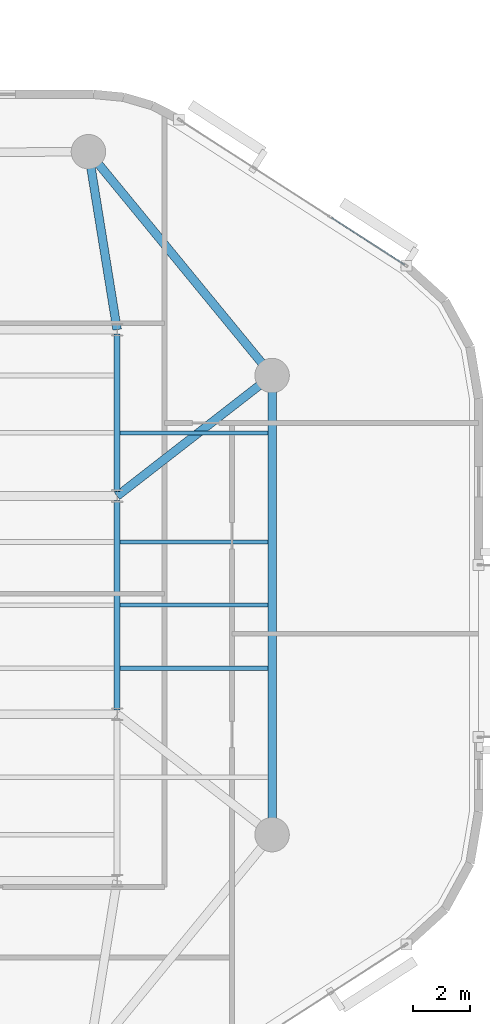
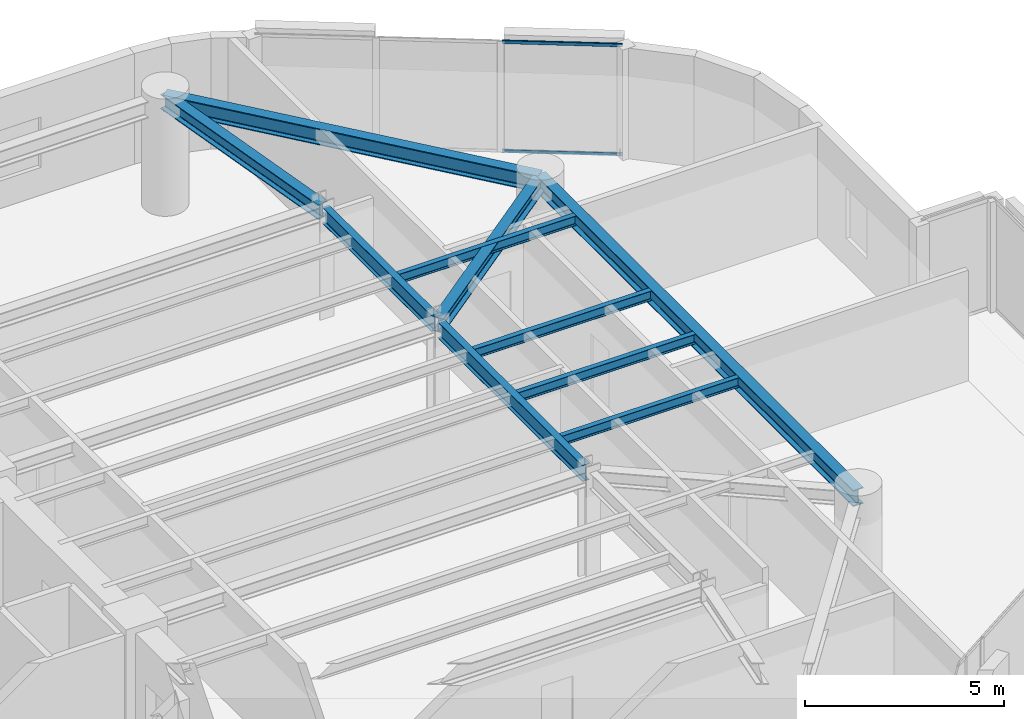
# One storey, part 5 of 16: 10 beams, 2 members, 1 element without a shape of its own.
"""IFC4 building model written with IfcOpenShell, lengths in metres."""

from ifc_helpers import new_model, si_unit, direction, frame, origin, origin_2d, place, context, subcontext, project, spatial, hollow_rectangle, i_section, extrude, material, layer, layer_set, material_profile, profile_set, type_object, element, aggregate, save


model = new_model("IFC4")

# Units and contexts
model_context = context("Model", 3, precision=1e-05, world=origin(), true_north=direction((0.0, 1.0)))
body_context = subcontext(model_context, "Body", "Model", "MODEL_VIEW")
ifc_project = project(units=[si_unit("LENGTHUNIT", "METRE"), si_unit("AREAUNIT", "SQUARE_METRE"), si_unit("VOLUMEUNIT", "CUBIC_METRE"), si_unit("PLANEANGLEUNIT", "RADIAN"), si_unit("MASSUNIT", "GRAM", prefix="KILO")], contexts=[model_context])

# Site, building, storey
site_placement = place(None, origin())
site = spatial("IfcSite", under=ifc_project, at=site_placement, CompositionType="ELEMENT")
building_placement = place(site_placement, origin())
building = spatial("IfcBuilding", under=site, at=building_placement, Name="An Khanh Terracotta Commons", CompositionType="ELEMENT")
storey_placement = place(building_placement, frame((0.0, 0.0, 172.60009765625)))
storey = spatial("IfcBuildingStorey", under=building, at=storey_placement, Name="L45", CompositionType="ELEMENT", Elevation=172.60009765625)

# Beams
ifc_material_1 = material(Name="Steel S355J2", Category="steel")
ifc_material_profile_1 = material_profile(ifc_material_1, i_section(OverallWidth=0.300048828125, OverallDepth=0.449951171875, WebThickness=0.013916015625, FlangeThickness=0.02587890625, FilletRadius=0.027099609375, at=origin_2d()), Name="HEB450")
ifc_profile_set_1 = profile_set([ifc_material_profile_1], Name="Steel S355J2")
beam_type_1 = type_object("IfcBeamType", Name="BM-HEB450", PredefinedType="BEAM", material=ifc_profile_set_1)
beam_1_placement = place(storey_placement, frame((55.800048828125, 32.0, 3.1748046875), z_axis=(-0.789363746927, -0.61392578952, 0.0), x_axis=(0.61392578952, -0.789363746927, 0.0)))
element("IfcBeam", 1, at=beam_1_placement, inside=storey, type_object=beam_type_1, Name="L45 Mega-Column Tie Girder 4", PredefinedType="BEAM", context=body_context, shape_type="SweptSolid", body=[
    extrude(i_section(OverallWidth=0.300048828125, OverallDepth=0.449951171875, WebThickness=0.013916015625, FlangeThickness=0.02587890625, FilletRadius=0.027099609375, at=origin_2d()), origin(), (0.0, 0.0, 1.0), 6.841064453125),
])
beam_2_placement = place(storey_placement, frame((49.39990234375, 39.800048828125, 3.1748046875), z_axis=(0.159233661074, -0.987240923575, 0.0), x_axis=(0.987240923575, 0.159233661074, 0.0)))
element("IfcBeam", 2, at=beam_2_placement, inside=storey, type_object=beam_type_1, Name="L45 Mega-Column Tie Girder 5", PredefinedType="BEAM", context=body_context, shape_type="SweptSolid", body=[
    extrude(i_section(OverallWidth=0.300048828125, OverallDepth=0.449951171875, WebThickness=0.013916015625, FlangeThickness=0.02587890625, FilletRadius=0.027099609375, at=origin_2d()), origin(), (0.0, 0.0, 1.0), 6.280029296875),
])
ifc_material_profile_2 = material_profile(ifc_material_1, i_section(OverallWidth=0.300048828125, OverallDepth=0.5, WebThickness=0.014404296875, FlangeThickness=0.028076171875, FilletRadius=0.027099609375, at=origin_2d()), Name="HEB500")
ifc_profile_set_2 = profile_set([ifc_material_profile_2], Name="Steel S355J2")
beam_type_2 = type_object("IfcBeamType", Name="BM-HEB500", PredefinedType="BEAM", material=ifc_profile_set_2)
beam_3_placement = place(storey_placement, frame((55.800048828125, 16.0, 3.14990234375), z_axis=(0.0, 1.0, 0.0), x_axis=(-1.0, 0.0, 0.0)))
element("IfcBeam", 3, at=beam_3_placement, inside=storey, type_object=beam_type_2, Name="L45 Perimeter Ring Spandrel 3", PredefinedType="BEAM", context=body_context, shape_type="SweptSolid", body=[
    extrude(i_section(OverallWidth=0.300048828125, OverallDepth=0.5, WebThickness=0.014404296875, FlangeThickness=0.028076171875, FilletRadius=0.027099609375, at=origin_2d()), origin(), (0.0, 0.0, 1.0), 16.0),
])
beam_4_placement = place(storey_placement, frame((55.800048828125, 32.0, 3.14990234375), z_axis=(-0.634322915223, 0.7730681983, 0.0), x_axis=(-0.7730681983, -0.634322915223, 0.0)))
element("IfcBeam", 4, at=beam_4_placement, inside=storey, type_object=beam_type_2, Name="L45 Perimeter Ring Spandrel 4", PredefinedType="BEAM", context=body_context, shape_type="SweptSolid", body=[
    extrude(i_section(OverallWidth=0.300048828125, OverallDepth=0.5, WebThickness=0.014404296875, FlangeThickness=0.028076171875, FilletRadius=0.027099609375, at=origin_2d()), origin(), (0.0, 0.0, 1.0), 10.08984375),
])
ifc_material_profile_3 = material_profile(ifc_material_1, i_section(OverallWidth=0.14990234375, OverallDepth=0.300048828125, WebThickness=0.007080078125, FlangeThickness=0.0107421875, FilletRadius=0.014892578125, at=origin_2d()), Name="IPE300")
ifc_profile_set_3 = profile_set([ifc_material_profile_3], Name="Steel S355J2")
beam_type_3 = type_object("IfcBeamType", Name="BM-IPE300", PredefinedType="JOIST", material=ifc_profile_set_3)
for number, where, z_axis, x_axis, name in (
    (5, (50.5, 21.800048828125, 3.25), (1.0, 0.0, 0.0), (0.0, 1.0, 0.0), "L45 Riverfront Composite Joist 3"),
    (6, (50.5, 24.0, 3.25), (1.0, 0.0, 0.0), (0.0, 1.0, 0.0), "L45 Riverfront Composite Joist 4"),
    (7, (50.5, 26.199951171875, 3.25), (1.0, 0.0, 0.0), (0.0, 1.0, 0.0), "L45 Riverfront Composite Joist 5"),
    (8, (50.5, 30.0, 3.25), (1.0, 0.0, 0.0), (0.0, 1.0, 0.0), "L45 Riverfront Composite Joist 6"),
):
    element("IfcBeam", number, at=place(storey_placement, frame(where, z_axis=z_axis, x_axis=x_axis)), inside=storey, type_object=beam_type_3, Name=name, PredefinedType="JOIST", context=body_context, shape_type="SweptSolid", body=[
        extrude(i_section(OverallWidth=0.14990234375, OverallDepth=0.300048828125, WebThickness=0.007080078125, FlangeThickness=0.0107421875, FilletRadius=0.014892578125, at=origin_2d()), origin(), (0.0, 0.0, 1.0), 5.14990234375),
    ])
ifc_material_profile_4 = material_profile(ifc_material_1, i_section(OverallWidth=0.199951171875, OverallDepth=0.5, WebThickness=0.01025390625, FlangeThickness=0.01611328125, FilletRadius=0.02099609375, at=origin_2d()), Name="IPE500")
ifc_profile_set_4 = profile_set([ifc_material_profile_4], Name="Steel S355J2")
beam_type_4 = type_object("IfcBeamType", Name="BM-IPE500", PredefinedType="BEAM", material=ifc_profile_set_4)
beam_5_placement = place(storey_placement, frame((50.39990234375, 20.35009765625, 3.14990234375), z_axis=(0.0, 1.0, 0.0), x_axis=(-1.0, 0.0, 0.0)))
element("IfcBeam", 9, at=beam_5_placement, inside=storey, type_object=beam_type_4, Name="L45 East Spine Girder 2", PredefinedType="BEAM", context=body_context, shape_type="SweptSolid", body=[
    extrude(i_section(OverallWidth=0.199951171875, OverallDepth=0.5, WebThickness=0.01025390625, FlangeThickness=0.01611328125, FilletRadius=0.02099609375, at=origin_2d()), origin(), (0.0, 0.0, 1.0), 7.2998046875),
])
beam_6_placement = place(storey_placement, frame((50.39990234375, 27.949951171875, 3.14990234375), z_axis=(0.0, 1.0, 0.0), x_axis=(-1.0, 0.0, 0.0)))
element("IfcBeam", 10, at=beam_6_placement, inside=storey, type_object=beam_type_4, Name="L45 East Spine Girder 3", PredefinedType="BEAM", context=body_context, shape_type="SweptSolid", body=[
    extrude(i_section(OverallWidth=0.199951171875, OverallDepth=0.5, WebThickness=0.01025390625, FlangeThickness=0.01611328125, FilletRadius=0.02099609375, at=origin_2d()), origin(), (0.0, 0.0, 1.0), 5.5),
])

# Curtain wall, members
ifc_material_2 = material(Name="Anodised Aluminium 6063-T6", Category="aluminium")
ifc_layer = layer(ifc_material_2, 0.2099609375, Name="Anodised Aluminium 6063-T6")
ifc_layer_set = layer_set([ifc_layer], Name="Anodised Aluminium 6063-T6")
curtain_wall_type = type_object("IfcCurtainWallType", Name="CW-SYS-03", PredefinedType="USERDEFINED", material=ifc_layer_set)
curtain_wall_placement = place(storey_placement, origin())
curtain_wall = element("IfcCurtainWall", 11, at=curtain_wall_placement, inside=storey, type_object=curtain_wall_type, Name="L45 CW-03 Unitised Curtain Wall CW-L45-16", ObjectType="UNITISED CURTAIN WALL", PredefinedType="USERDEFINED")
ifc_material_profile_5 = material_profile(ifc_material_2, hollow_rectangle(XDim=0.050048828125, YDim=0.10009765625, WallThickness=0.003173828125, InnerFilletRadius=0.003173828125, OuterFilletRadius=0.00634765625, at=origin_2d()), Name="RHS100x50x3.2")
ifc_profile_set_5 = profile_set([ifc_material_profile_5], Name="Anodised Aluminium 6063-T6")
member_type = type_object("IfcMemberType", Name="CWT-RHS100x50x3.2", PredefinedType="USERDEFINED", material=ifc_profile_set_5)
member_1_placement = place(storey_placement, frame((60.419189453125, 35.86181640625, 0.02490234375), z_axis=(-0.840673595852, 0.541542154626, 0.0), x_axis=(-0.541542154626, -0.840673595852, 0.0)))
member_1 = element("IfcMember", 12, at=member_1_placement, type_object=member_type, Name="CW-03 transom 1.1", ObjectType="TRANSOM", PredefinedType="USERDEFINED", context=body_context, shape_type="SweptSolid", body=[
    extrude(hollow_rectangle(XDim=0.050048828125, YDim=0.10009765625, WallThickness=0.003173828125, InnerFilletRadius=0.003173828125, OuterFilletRadius=0.00634765625, at=origin_2d()), origin(), (0.0, 0.0, 1.0), 3.034423828125),
])
member_2_placement = place(storey_placement, frame((60.419189453125, 35.86181640625, 3.375), z_axis=(-0.840673595852, 0.541542154626, 0.0), x_axis=(-0.541542154626, -0.840673595852, 0.0)))
member_2 = element("IfcMember", 13, at=member_2_placement, type_object=member_type, Name="CW-03 transom 1.2", ObjectType="TRANSOM", PredefinedType="USERDEFINED", context=body_context, shape_type="SweptSolid", body=[
    extrude(hollow_rectangle(XDim=0.050048828125, YDim=0.10009765625, WallThickness=0.003173828125, InnerFilletRadius=0.003173828125, OuterFilletRadius=0.00634765625, at=origin_2d()), origin(), (0.0, 0.0, 1.0), 3.034423828125),
])
aggregate(curtain_wall, [member_1, member_2])

save(model, "model.ifc")
